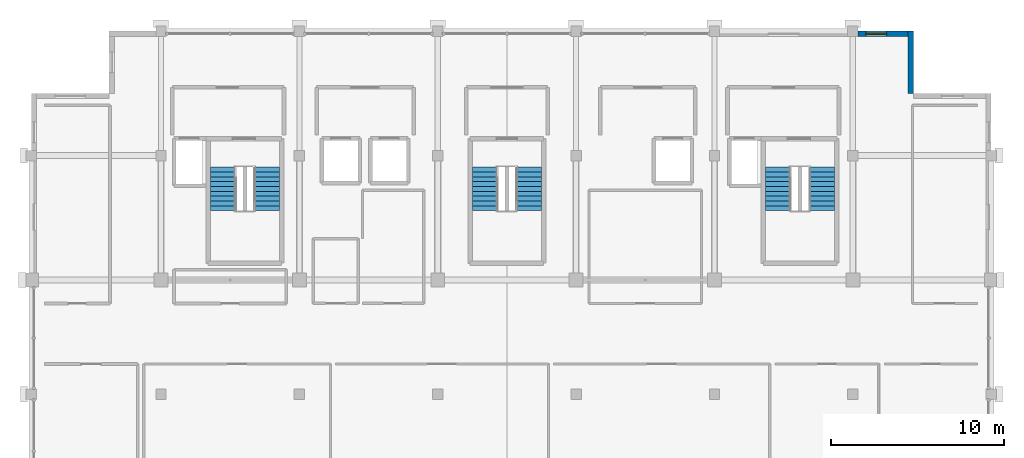
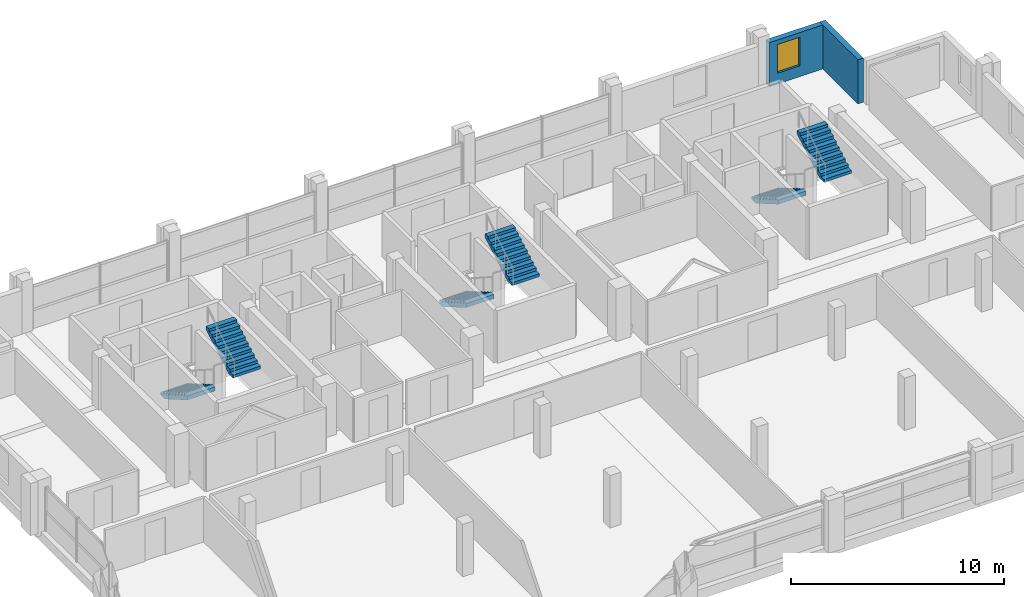
# One storey, part 23 of 24: 6 stair flights, 2 walls, 1 window, 1 opening, 3 elements without a shape of their own.
"""IFC4 building model written with IfcOpenShell, lengths in metres."""

from ifc_helpers import new_model, si_unit, direction, frame, frame_2d, origin, place, context, subcontext, project, spatial, polyline, rectangle, outline, extrude, material, layer, layer_set, type_object, element, fill, aggregate, save


model = new_model("IFC4")

# Units and contexts
model_context = context("Model", 3, precision=1e-05, world=origin(), true_north=direction((0.0, 1.0)))
body_context = subcontext(model_context, "Body", "Model", "MODEL_VIEW")
ifc_project = project(units=[si_unit("LENGTHUNIT", "METRE"), si_unit("AREAUNIT", "SQUARE_METRE"), si_unit("VOLUMEUNIT", "CUBIC_METRE"), si_unit("PLANEANGLEUNIT", "RADIAN"), si_unit("MASSUNIT", "GRAM", prefix="KILO")], contexts=[model_context])

# Site, building, storey
site_placement = place(None, origin())
site = spatial("IfcSite", under=ifc_project, at=site_placement, CompositionType="ELEMENT")
building_placement = place(site_placement, origin())
building = spatial("IfcBuilding", under=site, at=building_placement, Name="Akrevak Sports Hall", CompositionType="ELEMENT")
storey_placement = place(building_placement, frame((0.0, 0.0, 63.300048828125)))
storey = spatial("IfcBuildingStorey", under=building, at=storey_placement, Name="L16", CompositionType="ELEMENT", Elevation=63.300048828125)

# Wall
ifc_material_1 = material(Name="Limestone Ashlar", Category="stone")
ifc_layer_1 = layer(ifc_material_1, 0.06005859375, Name="Limestone Ashlar")
ifc_material_2 = material(Name="Mineral Wool Thermal Insulation", Category="insulation")
ifc_layer_2 = layer(ifc_material_2, 0.090087890625, Name="Mineral Wool Thermal Insulation")
ifc_material_3 = material(Name="Concrete C40/50", Category="concrete")
ifc_layer_3 = layer(ifc_material_3, 0.14990234375, Name="Concrete C40/50")
ifc_layer_set = layer_set([ifc_layer_1, ifc_layer_2, ifc_layer_3], Name="Limestone Ashlar / Mineral Wool Thermal Insulation / Concrete C40/50")
wall_type = type_object("IfcWallType", Name="ARC-WL-EXT-300", PredefinedType="SOLIDWALL", material=ifc_layer_set)
wall_1_placement = place(storey_placement, frame((103.35009765625, 66.0, 0.0), z_axis=(0.0, 0.0, 1.0), x_axis=(0.0, 1.0, 0.0)))
element("IfcWall", 1, at=wall_1_placement, inside=storey, type_object=wall_type, Name="Tower Stone Facade Wall L16-E16", PredefinedType="SOLIDWALL", context=body_context, shape_type="SweptSolid", body=[
    extrude(rectangle(XDim=3.60009765625, YDim=0.300048828125, at=frame_2d((1.800048828125, 0.0))), origin(), (0.0, 0.0, 1.0), 2.530029296875),
])

# Wall, opening, window
wall_2_placement = place(storey_placement, frame((103.5, 69.449951171875, 0.0), z_axis=(0.0, 0.0, 1.0), x_axis=(-1.0, 0.0, 0.0)))
wall_2 = element("IfcWall", 2, at=wall_2_placement, inside=storey, type_object=wall_type, Name="Tower Stone Facade Wall L16-N17", PredefinedType="SOLIDWALL", context=body_context, shape_type="SweptSolid", body=[
    extrude(rectangle(XDim=3.199951171875, YDim=0.300048828125, at=frame_2d((1.60009765625, 0.0))), origin(), (0.0, 0.0, 1.0), 2.530029296875),
])
opening_placement = place(wall_2_placement, frame((1.550048828125, 0.0, 0.6201171875)))
opening = element("IfcOpeningElement", 3, at=opening_placement, cuts=wall_2, Name="Opening WN-45", PredefinedType="OPENING", context=body_context, shape_type="SweptSolid", body=[
    extrude(rectangle(XDim=1.199951171875, YDim=1.64990234375, at=frame_2d((0.60009765625, 0.824951171875))), frame((0.0, 0.162109375, 0.0), z_axis=(0.0, -1.0, 0.0), x_axis=(1.0, 0.0, 0.0)), (0.0, 0.0, 1.0), 0.323974609375),
])
ifc_material_4 = material(Name="Thermally Broken Bronze Frame & Double Low-E Glass", Category="glass")
window_type = type_object("IfcWindowType", Name="ARC-WIN-SZ-1200x1650", PartitioningType="SINGLE_PANEL", PredefinedType="WINDOW", material=ifc_material_4)
window_placement = place(opening_placement, origin())
window = element("IfcWindow", 4, at=window_placement, inside=storey, type_object=window_type, Name="Tower Window L16-N17", OverallHeight=1.64990234375, OverallWidth=1.199951171875, PartitioningType="SINGLE_PANEL", PredefinedType="WINDOW", context=body_context, shape_type="SweptSolid", body=[
    extrude(rectangle(XDim=1.199951171875, YDim=1.64990234375, at=frame_2d((0.60009765625, 0.824951171875))), frame((0.0, 0.030029296875, 0.0), z_axis=(0.0, -1.0, 0.0), x_axis=(1.0, 0.0, 0.0)), (0.0, 0.0, 1.0), 0.06005859375),
])
fill(opening, window)

# Stair, stair flights
stair_type = type_object("IfcStairType", Name="ARC-STR-DOG-325", PredefinedType="HALF_TURN_STAIR", material=ifc_material_3)
stair_1_placement = place(storey_placement, origin())
stair_1 = element("IfcStair", 5, at=stair_1_placement, inside=storey, type_object=stair_type, Name="Protected Exit Stair ST1 (L16 to L17)", PredefinedType="HALF_TURN_STAIR")
stair_flight_type = type_object("IfcStairFlightType", Name="ARC-FLT-165-163", PredefinedType="STRAIGHT", material=ifc_material_3)
stair_flight_1_placement = place(storey_placement, frame((63.610107421875, 61.735107421875, 0.0), z_axis=(0.0, 0.0, 1.0), x_axis=(0.0, -1.0, 0.0)))
stair_flight_1 = element("IfcStairFlight", 6, at=stair_flight_1_placement, type_object=stair_flight_type, Name="Stair ST1 Flight 1 (L16)", NumberOfRisers=10, NumberOfTreads=9, PredefinedType="STRAIGHT", RiserHeight=0.1625, TreadLength=0.28, context=body_context, shape_type="SweptSolid", body=[
    extrude(outline(polyline([(0.0, 0.0), (0.0, 0.16259765625), (0.280029296875, 0.16259765625), (0.280029296875, 0.324951171875), (0.56005859375, 0.324951171875), (0.56005859375, 0.487548828125), (0.840087890625, 0.487548828125), (0.840087890625, 0.64990234375), (1.1201171875, 0.64990234375), (1.1201171875, 0.8125), (1.39990234375, 0.8125), (1.39990234375, 0.97509765625), (1.679931640625, 0.97509765625), (1.679931640625, 1.137451171875), (1.9599609375, 1.137451171875), (1.9599609375, 1.300048828125), (2.239990234375, 1.300048828125), (2.239990234375, 1.46240234375), (2.52001953125, 1.46240234375), (2.52001953125, 1.625), (2.52001953125, 1.231201171875), (0.3984375, 0.0), (0.0, 0.0)])), frame((0.0, 0.75, 0.0), z_axis=(0.0, -1.0, 0.0), x_axis=(1.0, 0.0, 0.0)), (0.0, 0.0, 1.0), 1.5),
])
stair_flight_2_placement = place(storey_placement, frame((66.090087890625, 59.215087890625, 1.625), z_axis=(0.0, 0.0, 1.0), x_axis=(0.0, 1.0, 0.0)))
stair_flight_2 = element("IfcStairFlight", 7, at=stair_flight_2_placement, type_object=stair_flight_type, Name="Stair ST1 Flight 2 (L16)", NumberOfRisers=10, NumberOfTreads=9, PredefinedType="STRAIGHT", RiserHeight=0.1625, TreadLength=0.28, context=body_context, shape_type="SweptSolid", body=[
    extrude(outline(polyline([(0.0, 0.0), (0.0, 0.16259765625), (0.280029296875, 0.16259765625), (0.280029296875, 0.324951171875), (0.56005859375, 0.324951171875), (0.56005859375, 0.487548828125), (0.840087890625, 0.487548828125), (0.840087890625, 0.64990234375), (1.1201171875, 0.64990234375), (1.1201171875, 0.8125), (1.39990234375, 0.8125), (1.39990234375, 0.97509765625), (1.679931640625, 0.97509765625), (1.679931640625, 1.137451171875), (1.9599609375, 1.137451171875), (1.9599609375, 1.300048828125), (2.239990234375, 1.300048828125), (2.239990234375, 1.46240234375), (2.52001953125, 1.46240234375), (2.52001953125, 1.625), (2.52001953125, 1.231201171875), (0.3984375, 0.0), (0.0, 0.0)])), frame((0.0, 0.75, 0.0), z_axis=(0.0, -1.0, 0.0), x_axis=(1.0, 0.0, 0.0)), (0.0, 0.0, 1.0), 1.5),
])
aggregate(stair_1, [stair_flight_1, stair_flight_2])

stair_2_placement = place(storey_placement, origin())
stair_2 = element("IfcStair", 8, at=stair_2_placement, inside=storey, type_object=stair_type, Name="Protected Exit Stair ST2 (L16 to L17)", PredefinedType="HALF_TURN_STAIR")
stair_flight_3_placement = place(storey_placement, frame((95.7099609375, 61.735107421875, 0.0), z_axis=(0.0, 0.0, 1.0), x_axis=(0.0, -1.0, 0.0)))
stair_flight_3 = element("IfcStairFlight", 9, at=stair_flight_3_placement, type_object=stair_flight_type, Name="Stair ST2 Flight 1 (L16)", NumberOfRisers=10, NumberOfTreads=9, PredefinedType="STRAIGHT", RiserHeight=0.1625, TreadLength=0.28, context=body_context, shape_type="SweptSolid", body=[
    extrude(outline(polyline([(0.0, 0.0), (0.0, 0.16259765625), (0.280029296875, 0.16259765625), (0.280029296875, 0.324951171875), (0.56005859375, 0.324951171875), (0.56005859375, 0.487548828125), (0.840087890625, 0.487548828125), (0.840087890625, 0.64990234375), (1.1201171875, 0.64990234375), (1.1201171875, 0.8125), (1.39990234375, 0.8125), (1.39990234375, 0.97509765625), (1.679931640625, 0.97509765625), (1.679931640625, 1.137451171875), (1.9599609375, 1.137451171875), (1.9599609375, 1.300048828125), (2.239990234375, 1.300048828125), (2.239990234375, 1.46240234375), (2.52001953125, 1.46240234375), (2.52001953125, 1.625), (2.52001953125, 1.231201171875), (0.3984375, 0.0), (0.0, 0.0)])), frame((0.0, 0.75, 0.0), z_axis=(0.0, -1.0, 0.0), x_axis=(1.0, 0.0, 0.0)), (0.0, 0.0, 1.0), 1.5),
])
stair_flight_4_placement = place(storey_placement, frame((98.18994140625, 59.215087890625, 1.625), z_axis=(0.0, 0.0, 1.0), x_axis=(0.0, 1.0, 0.0)))
stair_flight_4 = element("IfcStairFlight", 10, at=stair_flight_4_placement, type_object=stair_flight_type, Name="Stair ST2 Flight 2 (L16)", NumberOfRisers=10, NumberOfTreads=9, PredefinedType="STRAIGHT", RiserHeight=0.1625, TreadLength=0.28, context=body_context, shape_type="SweptSolid", body=[
    extrude(outline(polyline([(0.0, 0.0), (0.0, 0.16259765625), (0.280029296875, 0.16259765625), (0.280029296875, 0.324951171875), (0.56005859375, 0.324951171875), (0.56005859375, 0.487548828125), (0.840087890625, 0.487548828125), (0.840087890625, 0.64990234375), (1.1201171875, 0.64990234375), (1.1201171875, 0.8125), (1.39990234375, 0.8125), (1.39990234375, 0.97509765625), (1.679931640625, 0.97509765625), (1.679931640625, 1.137451171875), (1.9599609375, 1.137451171875), (1.9599609375, 1.300048828125), (2.239990234375, 1.300048828125), (2.239990234375, 1.46240234375), (2.52001953125, 1.46240234375), (2.52001953125, 1.625), (2.52001953125, 1.231201171875), (0.3984375, 0.0), (0.0, 0.0)])), frame((0.0, 0.75, 0.0), z_axis=(0.0, -1.0, 0.0), x_axis=(1.0, 0.0, 0.0)), (0.0, 0.0, 1.0), 1.5),
])
aggregate(stair_2, [stair_flight_3, stair_flight_4])

stair_3_placement = place(storey_placement, origin())
stair_3 = element("IfcStair", 11, at=stair_3_placement, inside=storey, type_object=stair_type, Name="Protected Exit Stair ST3 (L16 to L17)", PredefinedType="HALF_TURN_STAIR")
stair_flight_5_placement = place(storey_placement, frame((78.760009765625, 61.735107421875, 0.0), z_axis=(0.0, 0.0, 1.0), x_axis=(0.0, -1.0, 0.0)))
stair_flight_5 = element("IfcStairFlight", 12, at=stair_flight_5_placement, type_object=stair_flight_type, Name="Stair ST3 Flight 1 (L16)", NumberOfRisers=10, NumberOfTreads=9, PredefinedType="STRAIGHT", RiserHeight=0.1625, TreadLength=0.28, context=body_context, shape_type="SweptSolid", body=[
    extrude(outline(polyline([(0.0, 0.0), (0.0, 0.16259765625), (0.280029296875, 0.16259765625), (0.280029296875, 0.324951171875), (0.56005859375, 0.324951171875), (0.56005859375, 0.487548828125), (0.840087890625, 0.487548828125), (0.840087890625, 0.64990234375), (1.1201171875, 0.64990234375), (1.1201171875, 0.8125), (1.39990234375, 0.8125), (1.39990234375, 0.97509765625), (1.679931640625, 0.97509765625), (1.679931640625, 1.137451171875), (1.9599609375, 1.137451171875), (1.9599609375, 1.300048828125), (2.239990234375, 1.300048828125), (2.239990234375, 1.46240234375), (2.52001953125, 1.46240234375), (2.52001953125, 1.625), (2.52001953125, 1.231201171875), (0.3984375, 0.0), (0.0, 0.0)])), frame((0.0, 0.75, 0.0), z_axis=(0.0, -1.0, 0.0), x_axis=(1.0, 0.0, 0.0)), (0.0, 0.0, 1.0), 1.5),
])
stair_flight_6_placement = place(storey_placement, frame((81.239990234375, 59.215087890625, 1.625), z_axis=(0.0, 0.0, 1.0), x_axis=(0.0, 1.0, 0.0)))
stair_flight_6 = element("IfcStairFlight", 13, at=stair_flight_6_placement, type_object=stair_flight_type, Name="Stair ST3 Flight 2 (L16)", NumberOfRisers=10, NumberOfTreads=9, PredefinedType="STRAIGHT", RiserHeight=0.1625, TreadLength=0.28, context=body_context, shape_type="SweptSolid", body=[
    extrude(outline(polyline([(0.0, 0.0), (0.0, 0.16259765625), (0.280029296875, 0.16259765625), (0.280029296875, 0.324951171875), (0.56005859375, 0.324951171875), (0.56005859375, 0.487548828125), (0.840087890625, 0.487548828125), (0.840087890625, 0.64990234375), (1.1201171875, 0.64990234375), (1.1201171875, 0.8125), (1.39990234375, 0.8125), (1.39990234375, 0.97509765625), (1.679931640625, 0.97509765625), (1.679931640625, 1.137451171875), (1.9599609375, 1.137451171875), (1.9599609375, 1.300048828125), (2.239990234375, 1.300048828125), (2.239990234375, 1.46240234375), (2.52001953125, 1.46240234375), (2.52001953125, 1.625), (2.52001953125, 1.231201171875), (0.3984375, 0.0), (0.0, 0.0)])), frame((0.0, 0.75, 0.0), z_axis=(0.0, -1.0, 0.0), x_axis=(1.0, 0.0, 0.0)), (0.0, 0.0, 1.0), 1.5),
])
aggregate(stair_3, [stair_flight_5, stair_flight_6])

save(model, "model.ifc")
